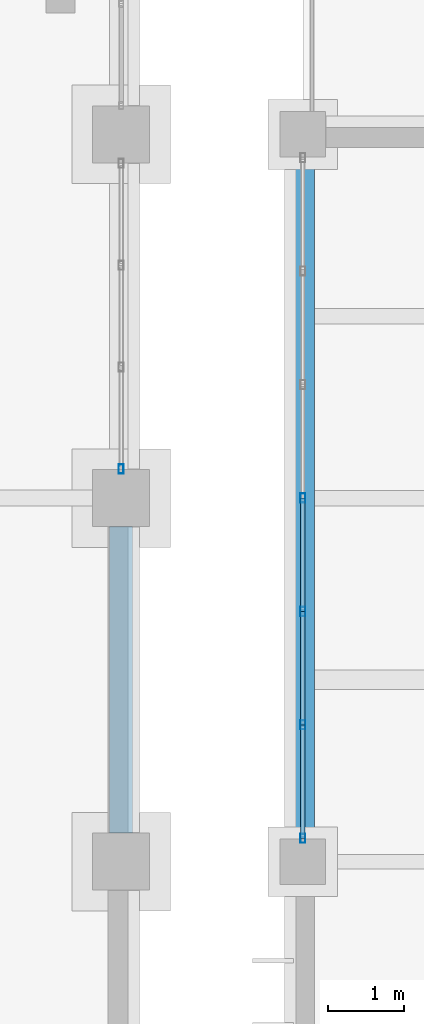
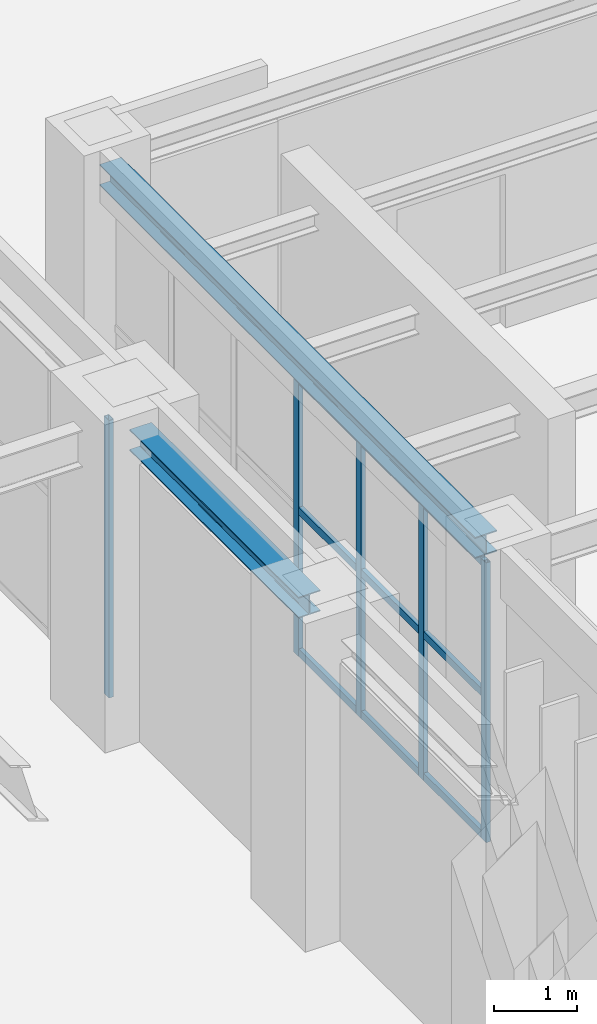
# One storey, part 9 of 83: 14 members, 2 beams, 2 elements without a shape of their own.
"""IFC4 building model written with IfcOpenShell, lengths in metres."""

from ifc_helpers import new_model, si_unit, direction, frame, origin, origin_2d, place, context, subcontext, project, spatial, hollow_rectangle, i_section, extrude, material, material_profile, profile_set, type_object, element, aggregate, save


model = new_model("IFC4")

# Units and contexts
model_context = context("Model", 3, precision=1e-05, world=origin(), true_north=direction((0.0, 1.0)))
body_context = subcontext(model_context, "Body", "Model", "MODEL_VIEW")
ifc_project = project(units=[si_unit("LENGTHUNIT", "METRE"), si_unit("AREAUNIT", "SQUARE_METRE"), si_unit("VOLUMEUNIT", "CUBIC_METRE"), si_unit("PLANEANGLEUNIT", "RADIAN"), si_unit("MASSUNIT", "GRAM", prefix="KILO")], contexts=[model_context])

# Site, building, storey
site_placement = place(None, origin())
site = spatial("IfcSite", under=ifc_project, at=site_placement, CompositionType="ELEMENT")
building_placement = place(site_placement, origin())
building = spatial("IfcBuilding", under=site, at=building_placement, Name="Mavantir Sound Aquarium", CompositionType="ELEMENT")
storey_placement = place(building_placement, frame((0.0, 0.0, 10.5)))
storey = spatial("IfcBuildingStorey", under=building, at=storey_placement, Name="L02", CompositionType="ELEMENT", Elevation=10.5)

# Beams
ifc_material_1 = material(Name="Structural Steel ASTM A992 Gr50", Category="steel")
ifc_material_profile_1 = material_profile(ifc_material_1, i_section(OverallWidth=0.304931640625, OverallDepth=0.30810546875, WebThickness=0.010009765625, FlangeThickness=0.015380859375, FilletRadius=0.014892578125, at=origin_2d()), Name="W310X97")
ifc_profile_set_1 = profile_set([ifc_material_profile_1], Name="Structural Steel ASTM A992 Gr50")
beam_type = type_object("IfcBeamType", Name="BM-W310X97-E", PredefinedType="SPANDREL", material=ifc_profile_set_1)
beam_1_placement = place(storey_placement, frame((33.60009765625, 50.77490234375, 4.241943359375), z_axis=(0.0, 1.0, 0.0), x_axis=(-1.0, 0.0, 0.0)))
element("IfcBeam", 1, at=beam_1_placement, inside=storey, type_object=beam_type, Name="L02 primary girder SS-31A 1475", PredefinedType="SPANDREL", context=body_context, shape_type="SweptSolid", body=[
    extrude(i_section(OverallWidth=0.304931640625, OverallDepth=0.30810546875, WebThickness=0.010009765625, FlangeThickness=0.015380859375, FilletRadius=0.014892578125, at=origin_2d()), origin(), (0.0, 0.0, 1.0), 4.050048828125),
])
beam_2_placement = place(storey_placement, frame((36.0, 50.699951171875, 4.322021484375), z_axis=(0.0, 1.0, 0.0), x_axis=(-1.0, 0.0, 0.0)))
element("IfcBeam", 2, at=beam_2_placement, inside=storey, type_object=beam_type, Name="L02 primary girder SS-31A 1488", PredefinedType="SPANDREL", context=body_context, shape_type="SweptSolid", body=[
    extrude(i_section(OverallWidth=0.304931640625, OverallDepth=0.30810546875, WebThickness=0.010009765625, FlangeThickness=0.015380859375, FilletRadius=0.014892578125, at=origin_2d()), origin(), (0.0, 0.0, 1.0), 9.0),
])

# Curtain wall, member
ifc_material_2 = material(Name="Anodised Marine Aluminium and Low-E Glass", Category="aluminium")
curtain_wall_type_1 = type_object("IfcCurtainWallType", Name="CW-T02", PredefinedType="USERDEFINED", material=ifc_material_2)
curtain_wall_1_placement = place(storey_placement, origin())
curtain_wall_1 = element("IfcCurtainWall", 3, at=curtain_wall_1_placement, inside=storey, type_object=curtain_wall_type_1, Name="L02 unitised curtain wall CW-02 122", ObjectType="UNITISED GLAZING", PredefinedType="USERDEFINED")
ifc_material_3 = material(Name="Anodised Marine Aluminium 6063-T6", Category="aluminium")
ifc_material_profile_2 = material_profile(ifc_material_3, hollow_rectangle(XDim=0.06494140625, YDim=0.1201171875, WallThickness=0.00390625, at=origin_2d()), Name="ALU-MULLION-120X65")
ifc_profile_set_2 = profile_set([ifc_material_profile_2], Name="Anodised Marine Aluminium 6063-T6")
member_type_1 = type_object("IfcMemberType", Name="CW-MUL-120", PredefinedType="MULLION", material=ifc_profile_set_2)
member_1_placement = place(storey_placement, frame((33.60009765625, 55.5830078125, 0.0), z_axis=(0.0, 0.0, 1.0), x_axis=(1.0, 0.0, 0.0)))
member_1 = element("IfcMember", 4, at=member_1_placement, type_object=member_type_1, Name="CW-L02-122 vertical mullion 1", PredefinedType="MULLION", context=body_context, shape_type="SweptSolid", body=[
    extrude(hollow_rectangle(XDim=0.06494140625, YDim=0.1201171875, WallThickness=0.00390625, at=origin_2d()), origin(), (0.0, 0.0, 1.0), 4.05810546875),
])
aggregate(curtain_wall_1, [member_1])

# Curtain wall, members
curtain_wall_type_2 = type_object("IfcCurtainWallType", Name="CW-T06", PredefinedType="USERDEFINED", material=ifc_material_2)
curtain_wall_2_placement = place(storey_placement, origin())
curtain_wall_2 = element("IfcCurtainWall", 5, at=curtain_wall_2_placement, inside=storey, type_object=curtain_wall_type_2, Name="L02 unitised curtain wall CW-06 126", ObjectType="UNITISED GLAZING", PredefinedType="USERDEFINED")
member_2_placement = place(storey_placement, frame((36.0, 55.199951171875, 0.0), z_axis=(0.0, 0.0, 1.0), x_axis=(1.0, 0.0, 0.0)))
member_2 = element("IfcMember", 6, at=member_2_placement, type_object=member_type_1, Name="CW-L02-126 vertical mullion 4", PredefinedType="MULLION", context=body_context, shape_type="SweptSolid", body=[
    extrude(hollow_rectangle(XDim=0.06494140625, YDim=0.1201171875, WallThickness=0.00390625, at=origin_2d()), origin(), (0.0, 0.0, 1.0), 4.093017578125),
])
member_3_placement = place(storey_placement, frame((36.0, 53.70263671875, 0.0), z_axis=(0.0, 0.0, 1.0), x_axis=(1.0, 0.0, 0.0)))
member_3 = element("IfcMember", 7, at=member_3_placement, type_object=member_type_1, Name="CW-L02-126 vertical mullion 5", PredefinedType="MULLION", context=body_context, shape_type="SweptSolid", body=[
    extrude(hollow_rectangle(XDim=0.06494140625, YDim=0.1201171875, WallThickness=0.00390625, at=origin_2d()), origin(), (0.0, 0.0, 1.0), 4.093017578125),
])
member_4_placement = place(storey_placement, frame((36.0, 52.205322265625, 0.0), z_axis=(0.0, 0.0, 1.0), x_axis=(1.0, 0.0, 0.0)))
member_4 = element("IfcMember", 8, at=member_4_placement, type_object=member_type_1, Name="CW-L02-126 vertical mullion 6", PredefinedType="MULLION", context=body_context, shape_type="SweptSolid", body=[
    extrude(hollow_rectangle(XDim=0.06494140625, YDim=0.1201171875, WallThickness=0.00390625, at=origin_2d()), origin(), (0.0, 0.0, 1.0), 4.093017578125),
])
member_5_placement = place(storey_placement, frame((36.0, 50.7080078125, 0.0), z_axis=(0.0, 0.0, 1.0), x_axis=(1.0, 0.0, 0.0)))
member_5 = element("IfcMember", 9, at=member_5_placement, type_object=member_type_1, Name="CW-L02-126 vertical mullion 7", PredefinedType="MULLION", context=body_context, shape_type="SweptSolid", body=[
    extrude(hollow_rectangle(XDim=0.06494140625, YDim=0.1201171875, WallThickness=0.00390625, at=origin_2d()), origin(), (0.0, 0.0, 1.0), 4.093017578125),
])
ifc_material_profile_3 = material_profile(ifc_material_3, hollow_rectangle(XDim=0.06005859375, YDim=0.110107421875, WallThickness=0.00390625, at=origin_2d()), Name="ALU-TRANSOM-110X60")
ifc_profile_set_3 = profile_set([ifc_material_profile_3], Name="Anodised Marine Aluminium 6063-T6")
member_type_2 = type_object("IfcMemberType", Name="CW-TRN-110", PredefinedType="USERDEFINED", material=ifc_profile_set_3)
member_6_placement = place(storey_placement, frame((36.0, 55.199951171875, 0.054931640625), z_axis=(0.0, -1.0, 0.0), x_axis=(1.0, 0.0, 0.0)))
member_6 = element("IfcMember", 10, at=member_6_placement, type_object=member_type_2, Name="CW-L02-126 transom 4.1", ObjectType="TRANSOM", PredefinedType="USERDEFINED", context=body_context, shape_type="SweptSolid", body=[
    extrude(hollow_rectangle(XDim=0.06005859375, YDim=0.110107421875, WallThickness=0.00390625, at=origin_2d()), origin(), (0.0, 0.0, 1.0), 1.497314453125),
])
member_7_placement = place(storey_placement, frame((36.0, 55.199951171875, 2.12841796875), z_axis=(0.0, -1.0, 0.0), x_axis=(1.0, 0.0, 0.0)))
member_7 = element("IfcMember", 11, at=member_7_placement, type_object=member_type_2, Name="CW-L02-126 transom 4.2", ObjectType="TRANSOM", PredefinedType="USERDEFINED", context=body_context, shape_type="SweptSolid", body=[
    extrude(hollow_rectangle(XDim=0.06005859375, YDim=0.110107421875, WallThickness=0.00390625, at=origin_2d()), origin(), (0.0, 0.0, 1.0), 1.497314453125),
])
member_8_placement = place(storey_placement, frame((36.0, 55.199951171875, 4.0380859375), z_axis=(0.0, -1.0, 0.0), x_axis=(1.0, 0.0, 0.0)))
member_8 = element("IfcMember", 12, at=member_8_placement, type_object=member_type_2, Name="CW-L02-126 transom 4.3", ObjectType="TRANSOM", PredefinedType="USERDEFINED", context=body_context, shape_type="SweptSolid", body=[
    extrude(hollow_rectangle(XDim=0.06005859375, YDim=0.110107421875, WallThickness=0.00390625, at=origin_2d()), origin(), (0.0, 0.0, 1.0), 1.497314453125),
])
member_9_placement = place(storey_placement, frame((36.0, 53.70263671875, 0.054931640625), z_axis=(0.0, -1.0, 0.0), x_axis=(1.0, 0.0, 0.0)))
member_9 = element("IfcMember", 13, at=member_9_placement, type_object=member_type_2, Name="CW-L02-126 transom 5.1", ObjectType="TRANSOM", PredefinedType="USERDEFINED", context=body_context, shape_type="SweptSolid", body=[
    extrude(hollow_rectangle(XDim=0.06005859375, YDim=0.110107421875, WallThickness=0.00390625, at=origin_2d()), origin(), (0.0, 0.0, 1.0), 1.497314453125),
])
member_10_placement = place(storey_placement, frame((36.0, 53.70263671875, 2.12841796875), z_axis=(0.0, -1.0, 0.0), x_axis=(1.0, 0.0, 0.0)))
member_10 = element("IfcMember", 14, at=member_10_placement, type_object=member_type_2, Name="CW-L02-126 transom 5.2", ObjectType="TRANSOM", PredefinedType="USERDEFINED", context=body_context, shape_type="SweptSolid", body=[
    extrude(hollow_rectangle(XDim=0.06005859375, YDim=0.110107421875, WallThickness=0.00390625, at=origin_2d()), origin(), (0.0, 0.0, 1.0), 1.497314453125),
])
member_11_placement = place(storey_placement, frame((36.0, 53.70263671875, 4.0380859375), z_axis=(0.0, -1.0, 0.0), x_axis=(1.0, 0.0, 0.0)))
member_11 = element("IfcMember", 15, at=member_11_placement, type_object=member_type_2, Name="CW-L02-126 transom 5.3", ObjectType="TRANSOM", PredefinedType="USERDEFINED", context=body_context, shape_type="SweptSolid", body=[
    extrude(hollow_rectangle(XDim=0.06005859375, YDim=0.110107421875, WallThickness=0.00390625, at=origin_2d()), origin(), (0.0, 0.0, 1.0), 1.497314453125),
])
member_12_placement = place(storey_placement, frame((36.0, 52.205322265625, 0.054931640625), z_axis=(0.0, -1.0, 0.0), x_axis=(1.0, 0.0, 0.0)))
member_12 = element("IfcMember", 16, at=member_12_placement, type_object=member_type_2, Name="CW-L02-126 transom 6.1", ObjectType="TRANSOM", PredefinedType="USERDEFINED", context=body_context, shape_type="SweptSolid", body=[
    extrude(hollow_rectangle(XDim=0.06005859375, YDim=0.110107421875, WallThickness=0.00390625, at=origin_2d()), origin(), (0.0, 0.0, 1.0), 1.497314453125),
])
member_13_placement = place(storey_placement, frame((36.0, 52.205322265625, 2.12841796875), z_axis=(0.0, -1.0, 0.0), x_axis=(1.0, 0.0, 0.0)))
member_13 = element("IfcMember", 17, at=member_13_placement, type_object=member_type_2, Name="CW-L02-126 transom 6.2", ObjectType="TRANSOM", PredefinedType="USERDEFINED", context=body_context, shape_type="SweptSolid", body=[
    extrude(hollow_rectangle(XDim=0.06005859375, YDim=0.110107421875, WallThickness=0.00390625, at=origin_2d()), origin(), (0.0, 0.0, 1.0), 1.497314453125),
])
member_14_placement = place(storey_placement, frame((36.0, 52.205322265625, 4.0380859375), z_axis=(0.0, -1.0, 0.0), x_axis=(1.0, 0.0, 0.0)))
member_14 = element("IfcMember", 18, at=member_14_placement, type_object=member_type_2, Name="CW-L02-126 transom 6.3", ObjectType="TRANSOM", PredefinedType="USERDEFINED", context=body_context, shape_type="SweptSolid", body=[
    extrude(hollow_rectangle(XDim=0.06005859375, YDim=0.110107421875, WallThickness=0.00390625, at=origin_2d()), origin(), (0.0, 0.0, 1.0), 1.497314453125),
])
aggregate(curtain_wall_2, [member_2, member_3, member_4, member_5, member_6, member_7, member_8, member_9, member_10, member_11, member_12, member_13, member_14])

save(model, "model.ifc")
